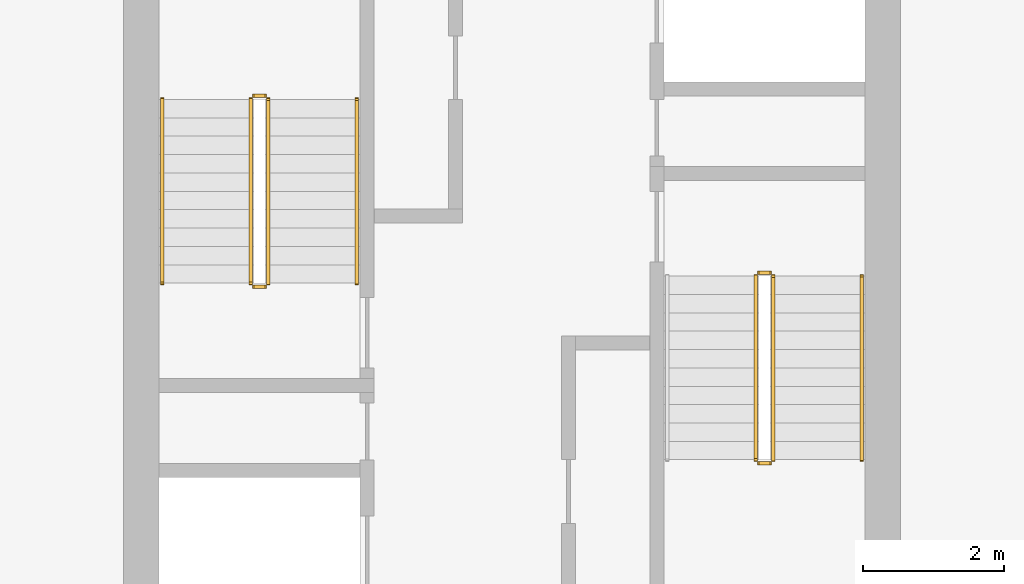
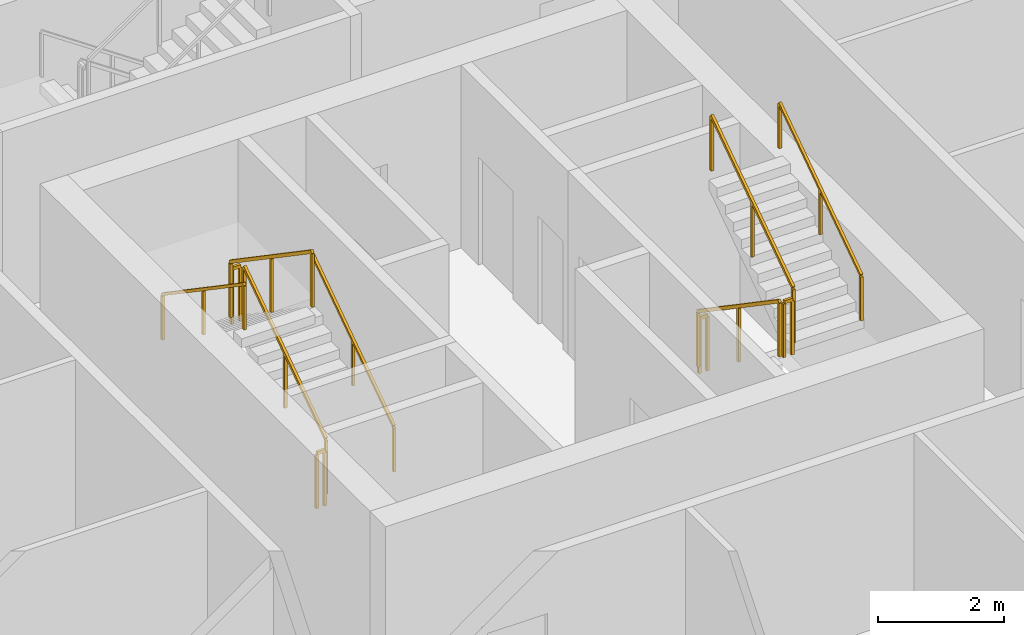
# One storey, part 8 of 11: 11 railings.
"""IFC4 building model written with IfcOpenShell, lengths in metres."""

from ifc_helpers import new_model, si_unit, direction, frame, origin, origin_2d, place, context, subcontext, project, spatial, rectangle, extrude, material, type_object, element, save


model = new_model("IFC4")

# Units and contexts
model_context = context("Model", 3, precision=1e-05, world=origin(), true_north=direction((0.0, 1.0)))
body_context = subcontext(model_context, "Body", "Model", "MODEL_VIEW")
ifc_project = project(units=[si_unit("LENGTHUNIT", "METRE"), si_unit("AREAUNIT", "SQUARE_METRE"), si_unit("VOLUMEUNIT", "CUBIC_METRE"), si_unit("PLANEANGLEUNIT", "RADIAN"), si_unit("MASSUNIT", "GRAM", prefix="KILO")], contexts=[model_context])

# Site, building, storey
site_placement = place(None, origin())
site = spatial("IfcSite", under=ifc_project, at=site_placement, CompositionType="ELEMENT")
building_placement = place(site_placement, origin())
building = spatial("IfcBuilding", under=site, at=building_placement, Name="Khepri Terraces", CompositionType="ELEMENT")
storey_placement = place(building_placement, frame((0.0, 0.0, 292.800048828125)))
storey = spatial("IfcBuildingStorey", under=building, at=storey_placement, Name="L70", CompositionType="ELEMENT", Elevation=292.800048828125)

# Railings
ifc_material = material(Name="Stainless steel 316", Category="steel")
railing_type_1 = type_object("IfcRailingType", Name="RL-CORE-GUARD", PredefinedType="GUARDRAIL", material=ifc_material)
railing_1_placement = place(storey_placement, frame((-3.449951171875, -0.050048828125, 0.17724609375)))
element("IfcRailing", 1, at=railing_1_placement, inside=storey, type_object=railing_type_1, Name="L70 ST-1 stair guard 1", PredefinedType="GUARDRAIL", context=body_context, shape_type="SweptSolid", body=[
    extrude(rectangle(XDim=0.050048828125, YDim=0.06005859375, at=origin_2d()), frame((0.0, 0.0, 1.070068359375), z_axis=(0.0, 0.826240473404, 0.563317565952), x_axis=(-1.0, 0.0, 0.0)), (0.0, 0.0, 1.0), 3.14697265625),
    extrude(rectangle(XDim=0.050048828125, YDim=0.050048828125, at=origin_2d()), origin(), (0.0, 0.0, 1.0), 1.0400390625),
    extrude(rectangle(XDim=0.050048828125, YDim=0.050048828125, at=origin_2d()), frame((0.0, 1.300048828125, 0.88623046875)), (0.0, 0.0, 1.0), 1.0400390625),
    extrude(rectangle(XDim=0.050048828125, YDim=0.050048828125, at=origin_2d()), frame((0.0, 2.60009765625, 1.772705078125)), (0.0, 0.0, 1.0), 1.0400390625),
])
railing_2_placement = place(storey_placement, frame((-3.5, 2.60009765625, 1.949951171875)))
element("IfcRailing", 2, at=railing_2_placement, inside=storey, type_object=railing_type_1, Name="L70 ST-1 stair guard 2", PredefinedType="GUARDRAIL", context=body_context, shape_type="SweptSolid", body=[
    extrude(rectangle(XDim=0.050048828125, YDim=0.06005859375, at=origin_2d()), frame((0.0, 0.0, 1.070068359375), z_axis=(-1.0, 0.0, 0.0), x_axis=(0.0, -1.0, 0.0)), (0.0, 0.0, 1.0), 0.14990234375),
    extrude(rectangle(XDim=0.050048828125, YDim=0.050048828125, at=origin_2d()), origin(), (0.0, 0.0, 1.0), 1.0400390625),
    extrude(rectangle(XDim=0.050048828125, YDim=0.050048828125, at=origin_2d()), frame((-0.14990234375, 0.0, 0.0)), (0.0, 0.0, 1.0), 1.0400390625),
])
railing_3_placement = place(storey_placement, frame((-3.699951171875, 2.550048828125, 2.127197265625)))
element("IfcRailing", 3, at=railing_3_placement, inside=storey, type_object=railing_type_1, Name="L70 ST-1 stair guard 3", PredefinedType="GUARDRAIL", context=body_context, shape_type="SweptSolid", body=[
    extrude(rectangle(XDim=0.050048828125, YDim=0.06005859375, at=origin_2d()), frame((0.0, 0.0, 1.070068359375), z_axis=(0.0, -0.826240473404, 0.563317565952), x_axis=(1.0, 0.0, 0.0)), (0.0, 0.0, 1.0), 3.14697265625),
    extrude(rectangle(XDim=0.050048828125, YDim=0.050048828125, at=origin_2d()), origin(), (0.0, 0.0, 1.0), 1.0400390625),
    extrude(rectangle(XDim=0.050048828125, YDim=0.050048828125, at=origin_2d()), frame((0.0, -1.300048828125, 0.88623046875)), (0.0, 0.0, 1.0), 1.0400390625),
    extrude(rectangle(XDim=0.050048828125, YDim=0.050048828125, at=origin_2d()), frame((0.0, -2.60009765625, 1.772705078125)), (0.0, 0.0, 1.0), 1.0400390625),
])
railing_4_placement = place(storey_placement, frame((-3.5, -0.10009765625, 0.0)))
element("IfcRailing", 4, at=railing_4_placement, inside=storey, type_object=railing_type_1, Name="L70 ST-1 stair guard 4", PredefinedType="GUARDRAIL", context=body_context, shape_type="SweptSolid", body=[
    extrude(rectangle(XDim=0.050048828125, YDim=0.06005859375, at=origin_2d()), frame((0.0, 0.0, 1.070068359375), z_axis=(-1.0, 0.0, 0.0), x_axis=(0.0, -1.0, 0.0)), (0.0, 0.0, 1.0), 0.14990234375),
    extrude(rectangle(XDim=0.050048828125, YDim=0.050048828125, at=origin_2d()), origin(), (0.0, 0.0, 1.0), 1.0400390625),
    extrude(rectangle(XDim=0.050048828125, YDim=0.050048828125, at=origin_2d()), frame((-0.14990234375, 0.0, 0.0)), (0.0, 0.0, 1.0), 1.0400390625),
])
railing_5_placement = place(storey_placement, frame((3.449951171875, 0.050048828125, 0.17724609375)))
element("IfcRailing", 5, at=railing_5_placement, inside=storey, type_object=railing_type_1, Name="L70 ST-2 stair guard 1", PredefinedType="GUARDRAIL", context=body_context, shape_type="SweptSolid", body=[
    extrude(rectangle(XDim=0.050048828125, YDim=0.06005859375, at=origin_2d()), frame((0.0, 0.0, 1.070068359375), z_axis=(0.0, -0.826240473404, 0.563317565952), x_axis=(1.0, 0.0, 0.0)), (0.0, 0.0, 1.0), 3.14697265625),
    extrude(rectangle(XDim=0.050048828125, YDim=0.050048828125, at=origin_2d()), origin(), (0.0, 0.0, 1.0), 1.0400390625),
    extrude(rectangle(XDim=0.050048828125, YDim=0.050048828125, at=origin_2d()), frame((0.0, -1.300048828125, 0.88623046875)), (0.0, 0.0, 1.0), 1.0400390625),
    extrude(rectangle(XDim=0.050048828125, YDim=0.050048828125, at=origin_2d()), frame((0.0, -2.60009765625, 1.772705078125)), (0.0, 0.0, 1.0), 1.0400390625),
])
railing_6_placement = place(storey_placement, frame((3.5, -2.60009765625, 1.949951171875)))
element("IfcRailing", 6, at=railing_6_placement, inside=storey, type_object=railing_type_1, Name="L70 ST-2 stair guard 2", PredefinedType="GUARDRAIL", context=body_context, shape_type="SweptSolid", body=[
    extrude(rectangle(XDim=0.050048828125, YDim=0.06005859375, at=origin_2d()), frame((0.0, 0.0, 1.070068359375), z_axis=(1.0, 0.0, 0.0), x_axis=(0.0, 1.0, 0.0)), (0.0, 0.0, 1.0), 0.14990234375),
    extrude(rectangle(XDim=0.050048828125, YDim=0.050048828125, at=origin_2d()), origin(), (0.0, 0.0, 1.0), 1.0400390625),
    extrude(rectangle(XDim=0.050048828125, YDim=0.050048828125, at=origin_2d()), frame((0.14990234375, 0.0, 0.0)), (0.0, 0.0, 1.0), 1.0400390625),
])
railing_7_placement = place(storey_placement, frame((3.699951171875, -2.550048828125, 2.127197265625)))
element("IfcRailing", 7, at=railing_7_placement, inside=storey, type_object=railing_type_1, Name="L70 ST-2 stair guard 3", PredefinedType="GUARDRAIL", context=body_context, shape_type="SweptSolid", body=[
    extrude(rectangle(XDim=0.050048828125, YDim=0.06005859375, at=origin_2d()), frame((0.0, 0.0, 1.070068359375), z_axis=(0.0, 0.826240473404, 0.563317565952), x_axis=(-1.0, 0.0, 0.0)), (0.0, 0.0, 1.0), 3.14697265625),
    extrude(rectangle(XDim=0.050048828125, YDim=0.050048828125, at=origin_2d()), origin(), (0.0, 0.0, 1.0), 1.0400390625),
    extrude(rectangle(XDim=0.050048828125, YDim=0.050048828125, at=origin_2d()), frame((0.0, 1.300048828125, 0.88623046875)), (0.0, 0.0, 1.0), 1.0400390625),
    extrude(rectangle(XDim=0.050048828125, YDim=0.050048828125, at=origin_2d()), frame((0.0, 2.60009765625, 1.772705078125)), (0.0, 0.0, 1.0), 1.0400390625),
])
railing_8_placement = place(storey_placement, frame((3.5, 0.10009765625, 0.0)))
element("IfcRailing", 8, at=railing_8_placement, inside=storey, type_object=railing_type_1, Name="L70 ST-2 stair guard 4", PredefinedType="GUARDRAIL", context=body_context, shape_type="SweptSolid", body=[
    extrude(rectangle(XDim=0.050048828125, YDim=0.06005859375, at=origin_2d()), frame((0.0, 0.0, 1.070068359375), z_axis=(1.0, 0.0, 0.0), x_axis=(0.0, 1.0, 0.0)), (0.0, 0.0, 1.0), 0.14990234375),
    extrude(rectangle(XDim=0.050048828125, YDim=0.050048828125, at=origin_2d()), origin(), (0.0, 0.0, 1.0), 1.0400390625),
    extrude(rectangle(XDim=0.050048828125, YDim=0.050048828125, at=origin_2d()), frame((0.14990234375, 0.0, 0.0)), (0.0, 0.0, 1.0), 1.0400390625),
])
railing_type_2 = type_object("IfcRailingType", Name="RL-CORE-HANDRAIL", PredefinedType="HANDRAIL", material=ifc_material)
railing_9_placement = place(storey_placement, frame((-2.199951171875, -0.050048828125, 0.17724609375)))
element("IfcRailing", 9, at=railing_9_placement, inside=storey, type_object=railing_type_2, Name="L70 ST-1 stair handrail 1", PredefinedType="HANDRAIL", context=body_context, shape_type="SweptSolid", body=[
    extrude(rectangle(XDim=0.050048828125, YDim=0.050048828125, at=origin_2d()), frame((0.0, 0.0, 0.875), z_axis=(0.0, 0.826240473404, 0.563317565952), x_axis=(-1.0, 0.0, 0.0)), (0.0, 0.0, 1.0), 3.14697265625),
    extrude(rectangle(XDim=0.050048828125, YDim=0.050048828125, at=origin_2d()), origin(), (0.0, 0.0, 1.0), 0.849853515625),
    extrude(rectangle(XDim=0.050048828125, YDim=0.050048828125, at=origin_2d()), frame((0.0, 1.300048828125, 0.88623046875)), (0.0, 0.0, 1.0), 0.849853515625),
    extrude(rectangle(XDim=0.050048828125, YDim=0.050048828125, at=origin_2d()), frame((0.0, 2.60009765625, 1.772705078125)), (0.0, 0.0, 1.0), 0.849853515625),
])
railing_10_placement = place(storey_placement, frame((-4.949951171875, 2.550048828125, 2.127197265625)))
element("IfcRailing", 10, at=railing_10_placement, inside=storey, type_object=railing_type_2, Name="L70 ST-1 stair handrail 2", PredefinedType="HANDRAIL", context=body_context, shape_type="SweptSolid", body=[
    extrude(rectangle(XDim=0.050048828125, YDim=0.050048828125, at=origin_2d()), frame((0.0, 0.0, 0.875), z_axis=(0.0, -0.826240473404, 0.563317565952), x_axis=(1.0, 0.0, 0.0)), (0.0, 0.0, 1.0), 3.14697265625),
    extrude(rectangle(XDim=0.050048828125, YDim=0.050048828125, at=origin_2d()), origin(), (0.0, 0.0, 1.0), 0.849853515625),
    extrude(rectangle(XDim=0.050048828125, YDim=0.050048828125, at=origin_2d()), frame((0.0, -1.300048828125, 0.88623046875)), (0.0, 0.0, 1.0), 0.849853515625),
    extrude(rectangle(XDim=0.050048828125, YDim=0.050048828125, at=origin_2d()), frame((0.0, -2.60009765625, 1.772705078125)), (0.0, 0.0, 1.0), 0.849853515625),
])
railing_11_placement = place(storey_placement, frame((4.949951171875, -2.550048828125, 2.127197265625)))
element("IfcRailing", 11, at=railing_11_placement, inside=storey, type_object=railing_type_2, Name="L70 ST-2 stair handrail 2", PredefinedType="HANDRAIL", context=body_context, shape_type="SweptSolid", body=[
    extrude(rectangle(XDim=0.050048828125, YDim=0.050048828125, at=origin_2d()), frame((0.0, 0.0, 0.875), z_axis=(0.0, 0.826240473404, 0.563317565952), x_axis=(-1.0, 0.0, 0.0)), (0.0, 0.0, 1.0), 3.14697265625),
    extrude(rectangle(XDim=0.050048828125, YDim=0.050048828125, at=origin_2d()), origin(), (0.0, 0.0, 1.0), 0.849853515625),
    extrude(rectangle(XDim=0.050048828125, YDim=0.050048828125, at=origin_2d()), frame((0.0, 1.300048828125, 0.88623046875)), (0.0, 0.0, 1.0), 0.849853515625),
    extrude(rectangle(XDim=0.050048828125, YDim=0.050048828125, at=origin_2d()), frame((0.0, 2.60009765625, 1.772705078125)), (0.0, 0.0, 1.0), 0.849853515625),
])

save(model, "model.ifc")
